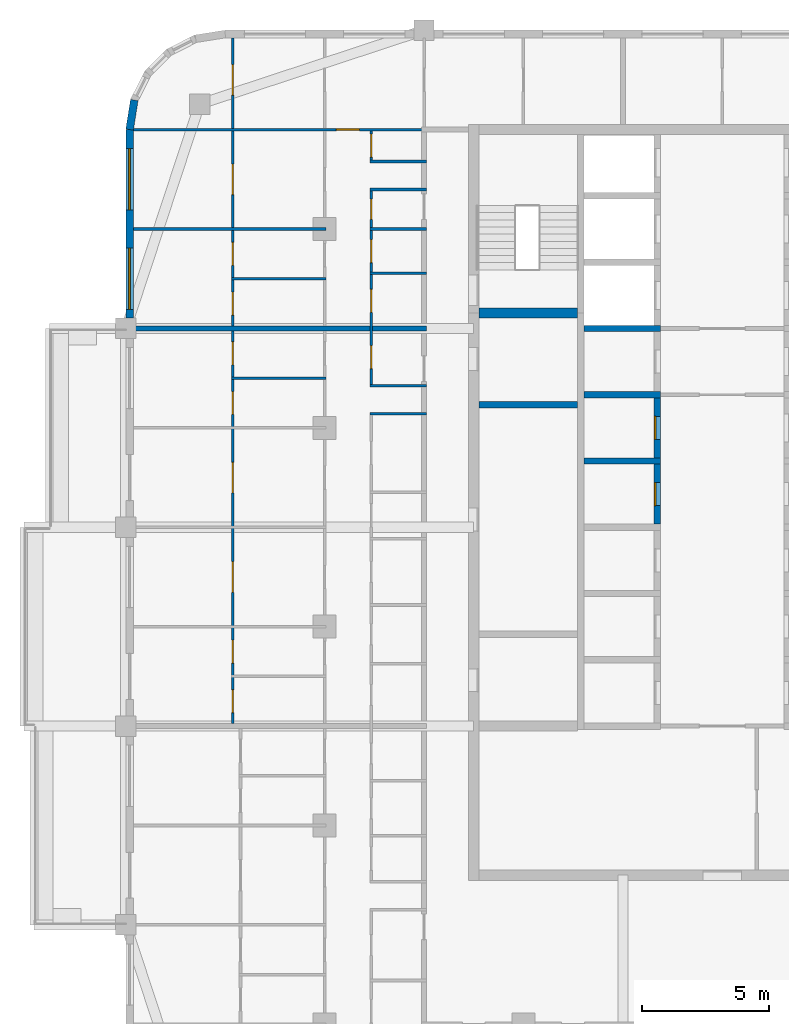
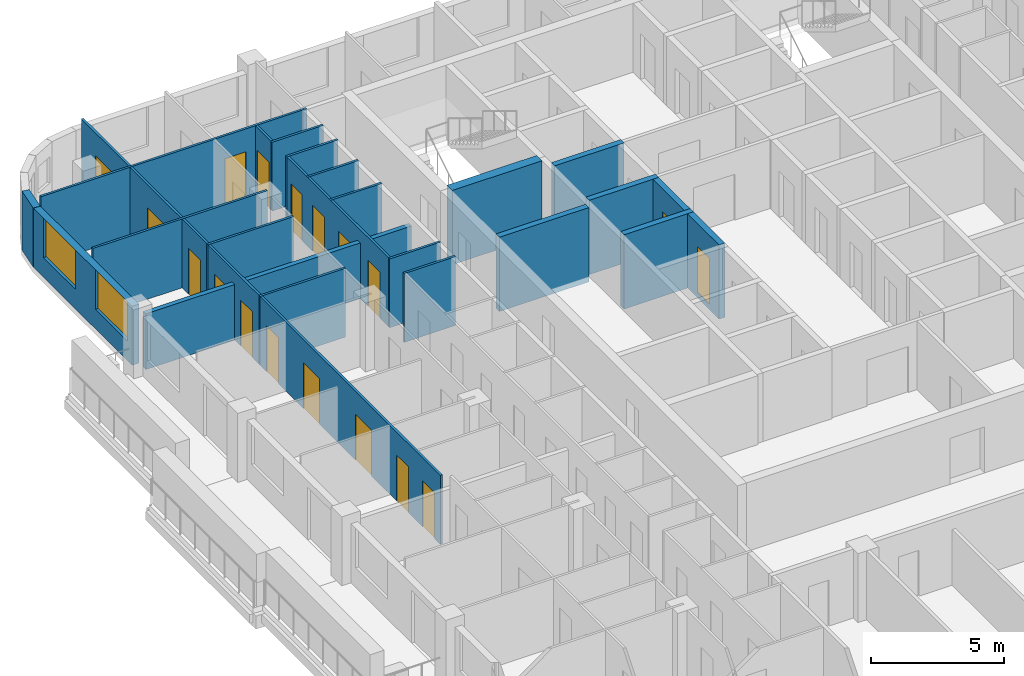
# One storey, part 8 of 17: 23 walls, 18 doors, 2 windows, 20 openings.
"""IFC4 building model written with IfcOpenShell, lengths in metres."""

from ifc_helpers import new_model, si_unit, direction, frame, frame_2d, origin, place, context, subcontext, project, spatial, rectangle, extrude, material, layer, layer_set, type_object, element, fill, save


model = new_model("IFC4")

# Units and contexts
model_context = context("Model", 3, precision=1e-05, world=origin(), true_north=direction((0.0, 1.0)))
body_context = subcontext(model_context, "Body", "Model", "MODEL_VIEW")
ifc_project = project(units=[si_unit("LENGTHUNIT", "METRE"), si_unit("AREAUNIT", "SQUARE_METRE"), si_unit("VOLUMEUNIT", "CUBIC_METRE"), si_unit("PLANEANGLEUNIT", "RADIAN"), si_unit("MASSUNIT", "GRAM", prefix="KILO")], contexts=[model_context])

# Site, building, storey
site_placement = place(None, origin())
site = spatial("IfcSite", under=ifc_project, at=site_placement, CompositionType="ELEMENT")
building_placement = place(site_placement, origin())
building = spatial("IfcBuilding", under=site, at=building_placement, Name="Ludao Terraces", CompositionType="ELEMENT")
storey_placement = place(building_placement, frame((0.0, 0.0, 210.89990234375)))
storey = spatial("IfcBuildingStorey", under=building, at=storey_placement, Name="L57", CompositionType="ELEMENT", Elevation=210.89990234375)

# Wall, openings, windows
ifc_material_1 = material(Name="Granite cladding", Category="masonry")
ifc_layer_1 = layer(ifc_material_1, 0.0400390625, Category="stone")
ifc_material_2 = material(Name="Mineral wool")
ifc_layer_2 = layer(ifc_material_2, 0.06005859375)
ifc_material_3 = material(Name="Concrete C40", Category="concrete")
ifc_layer_3 = layer(ifc_material_3, 0.199951171875, Category="concrete")
ifc_layer_set_1 = layer_set([ifc_layer_1, ifc_layer_2, ifc_layer_3], Name="ENV Stone-clad wall 300")
wall_type_1 = type_object("IfcWallType", Name="ENV Stone-clad wall 300", PredefinedType="SOLIDWALL", material=ifc_layer_set_1)
wall_1_placement = place(storey_placement, frame((61.75, 77.10009765625, 0.0), z_axis=(0.0, 0.0, 1.0), x_axis=(0.0, 1.0, 0.0)))
wall_1 = element("IfcWall", 1, at=wall_1_placement, inside=storey, type_object=wall_type_1, Name="EW-L57-W5", PredefinedType="SOLIDWALL", context=body_context, shape_type="SweptSolid", body=[
    extrude(rectangle(XDim=7.39990234375, YDim=0.300048828125, at=frame_2d((3.699951171875, 0.0))), origin(), (0.0, 0.0, 1.0), 2.7001953125),
])
opening_1_placement = place(wall_1_placement, frame((0.35009765625, 0.0, 0.89990234375)))
opening_1 = element("IfcOpeningElement", 2, at=opening_1_placement, cuts=wall_1, Name="Opening W1", PredefinedType="OPENING", context=body_context, shape_type="SweptSolid", body=[
    extrude(rectangle(XDim=2.39990234375, YDim=1.800048828125, at=frame_2d((1.199951171875, 0.89990234375))), frame((0.0, 0.16015625, 0.0), z_axis=(0.0, -1.0, 0.0), x_axis=(1.0, 0.0, 0.0)), (0.0, 0.0, 1.0), 0.320068359375),
])
opening_2_placement = place(wall_1_placement, frame((4.25, 0.0, 0.89990234375)))
opening_2 = element("IfcOpeningElement", 3, at=opening_2_placement, cuts=wall_1, Name="Opening W1", PredefinedType="OPENING", context=body_context, shape_type="SweptSolid", body=[
    extrude(rectangle(XDim=2.39990234375, YDim=1.800048828125, at=frame_2d((1.199951171875, 0.89990234375))), frame((0.0, 0.16015625, 0.0), z_axis=(0.0, -1.0, 0.0), x_axis=(1.0, 0.0, 0.0)), (0.0, 0.0, 1.0), 0.320068359375),
])
ifc_material_4 = material(Name="Clear glass in aluminium frame", Category="aluminium")
ifc_layer_4 = layer(ifc_material_4, 0.06005859375)
ifc_layer_set_2 = layer_set([ifc_layer_4], Name="ENV Window W1 2400x1800")
window_type = type_object("IfcWindowType", Name="ENV Window W1 2400x1800", PartitioningType="DOUBLE_PANEL_VERTICAL", PredefinedType="WINDOW", material=ifc_layer_set_2)
window_1_placement = place(opening_1_placement, origin())
window_1 = element("IfcWindow", 4, at=window_1_placement, inside=storey, type_object=window_type, Name="W-L57-W5-1", OverallHeight=1.800048828125, OverallWidth=2.39990234375, PartitioningType="DOUBLE_PANEL_VERTICAL", PredefinedType="WINDOW", context=body_context, shape_type="SweptSolid", body=[
    extrude(rectangle(XDim=2.39990234375, YDim=1.800048828125, at=frame_2d((1.199951171875, 0.89990234375))), frame((0.0, 0.030029296875, 0.0), z_axis=(0.0, -1.0, 0.0), x_axis=(1.0, 0.0, 0.0)), (0.0, 0.0, 1.0), 0.06005859375),
])
fill(opening_1, window_1)
window_2_placement = place(opening_2_placement, origin())
window_2 = element("IfcWindow", 5, at=window_2_placement, inside=storey, type_object=window_type, Name="W-L57-W5-2", OverallHeight=1.800048828125, OverallWidth=2.39990234375, PartitioningType="DOUBLE_PANEL_VERTICAL", PredefinedType="WINDOW", context=body_context, shape_type="SweptSolid", body=[
    extrude(rectangle(XDim=2.39990234375, YDim=1.800048828125, at=frame_2d((1.199951171875, 0.89990234375))), frame((0.0, 0.030029296875, 0.0), z_axis=(0.0, -1.0, 0.0), x_axis=(1.0, 0.0, 0.0)), (0.0, 0.0, 1.0), 0.06005859375),
])
fill(opening_2, window_2)

# Walls
wall_2_placement = place(storey_placement, frame((61.93359375, 85.65869140625, 0.0), z_axis=(0.0, 0.0, 1.0), x_axis=(-0.156496880861, -0.987678452879, 0.0)))
element("IfcWall", 6, at=wall_2_placement, inside=storey, type_object=wall_type_1, Name="EW-L57-NW5", PredefinedType="SOLIDWALL", context=body_context, shape_type="SweptSolid", body=[
    extrude(rectangle(XDim=1.173095703125, YDim=0.300048828125, at=frame_2d((0.58642578125, 0.0))), origin(), (0.0, 0.0, 1.0), 2.7001953125),
])
ifc_material_5 = material(Name="Gypsum plasterboard", Category="gypsum")
ifc_layer_5 = layer(ifc_material_5, 0.012451171875, Category="gypsum")
ifc_layer_6 = layer(ifc_material_2, 0.06005859375, Name="insulation")
ifc_material_6 = material(Name="Steel Q235", Category="steel")
ifc_layer_7 = layer(ifc_material_6, 0.014892578125, Name="stud")
ifc_layer_8 = layer(ifc_material_5, 0.012451171875, Category="gypsum")
ifc_layer_set_3 = layer_set([ifc_layer_5, ifc_layer_6, ifc_layer_7, ifc_layer_8], Name="INT Partition 100")
wall_type_2 = type_object("IfcWallType", Name="INT Partition 100", PredefinedType="PARTITIONING", material=ifc_layer_set_3)
for number, where, z_axis, x_axis, name in (
    (7, (71.18017578125, 73.35009765625, 0.0), (0.0, 0.0, 1.0), (1.0, 0.0, 0.0), "PW-L57-PW046"),
    (8, (71.18017578125, 74.449951171875, 0.0), (0.0, 0.0, 1.0), (1.0, 0.0, 0.0), "PW-L57-PW048"),
):
    element("IfcWall", number, at=place(storey_placement, frame(where, z_axis=z_axis, x_axis=x_axis)), inside=storey, type_object=wall_type_2, Name=name, PredefinedType="PARTITIONING", context=body_context, shape_type="SweptSolid", body=[
        extrude(rectangle(XDim=2.219970703125, YDim=0.10009765625, at=frame_2d((1.10986328125, 0.0))), origin(), (0.0, 0.0, 1.0), 3.150146484375),
    ])
for number, where, z_axis, x_axis, name in (
    (9, (65.75, 74.75, 0.0), (0.0, 0.0, 1.0), (1.0, 0.0, 0.0), "PW-L57-PW049"),
    (10, (65.75, 78.64990234375, 0.0), (0.0, 0.0, 1.0), (1.0, 0.0, 0.0), "PW-L57-PW057"),
):
    element("IfcWall", number, at=place(storey_placement, frame(where, z_axis=z_axis, x_axis=x_axis)), inside=storey, type_object=wall_type_2, Name=name, PredefinedType="PARTITIONING", context=body_context, shape_type="SweptSolid", body=[
        extrude(rectangle(XDim=3.7001953125, YDim=0.10009765625, at=frame_2d((1.85009765625, 0.0))), origin(), (0.0, 0.0, 1.0), 3.150146484375),
    ])
wall_3_placement = place(storey_placement, frame((71.18017578125, 78.8701171875, 0.0), z_axis=(0.0, 0.0, 1.0), x_axis=(1.0, 0.0, 0.0)))
element("IfcWall", 11, at=wall_3_placement, inside=storey, type_object=wall_type_2, Name="PW-L57-PW058", PredefinedType="PARTITIONING", context=body_context, shape_type="SweptSolid", body=[
    extrude(rectangle(XDim=2.219970703125, YDim=0.10009765625, at=frame_2d((1.10986328125, 0.0))), origin(), (0.0, 0.0, 1.0), 3.150146484375),
])
wall_4_placement = place(storey_placement, frame((61.900146484375, 80.60009765625, 0.0), z_axis=(0.0, 0.0, 1.0), x_axis=(1.0, 0.0, 0.0)))
element("IfcWall", 12, at=wall_4_placement, inside=storey, type_object=wall_type_2, Name="PW-L57-PW059", PredefinedType="PARTITIONING", context=body_context, shape_type="SweptSolid", body=[
    extrude(rectangle(XDim=7.550048828125, YDim=0.10009765625, at=frame_2d((3.77490234375, 0.0))), origin(), (0.0, 0.0, 1.0), 3.150146484375),
])
for number, where, z_axis, x_axis, name in (
    (13, (71.18017578125, 80.60009765625, 0.0), (0.0, 0.0, 1.0), (1.0, 0.0, 0.0), "PW-L57-PW060"),
    (14, (71.18017578125, 82.14990234375, 0.0), (0.0, 0.0, 1.0), (1.0, 0.0, 0.0), "PW-L57-PW063"),
    (15, (71.18017578125, 83.25, 0.0), (0.0, 0.0, 1.0), (1.0, 0.0, 0.0), "PW-L57-PW065"),
):
    element("IfcWall", number, at=place(storey_placement, frame(where, z_axis=z_axis, x_axis=x_axis)), inside=storey, type_object=wall_type_2, Name=name, PredefinedType="PARTITIONING", context=body_context, shape_type="SweptSolid", body=[
        extrude(rectangle(XDim=2.219970703125, YDim=0.10009765625, at=frame_2d((1.10986328125, 0.0))), origin(), (0.0, 0.0, 1.0), 3.150146484375),
    ])

# Wall, opening, door
wall_5_placement = place(storey_placement, frame((61.900146484375, 84.5, 0.0), z_axis=(0.0, 0.0, 1.0), x_axis=(1.0, 0.0, 0.0)))
wall_5 = element("IfcWall", 16, at=wall_5_placement, inside=storey, type_object=wall_type_2, Name="PW-L57-PW066", PredefinedType="PARTITIONING", context=body_context, shape_type="SweptSolid", body=[
    extrude(rectangle(XDim=11.5, YDim=0.10009765625, at=frame_2d((5.75, 0.0))), origin(), (0.0, 0.0, 1.0), 3.150146484375),
])
opening_3_placement = place(wall_5_placement, frame((7.965087890625, 0.0, 0.0)))
opening_3 = element("IfcOpeningElement", 17, at=opening_3_placement, cuts=wall_5, Name="Opening R20-131", PredefinedType="OPENING", context=body_context, shape_type="SweptSolid", body=[
    extrude(rectangle(XDim=0.89990234375, YDim=2.10009765625, at=frame_2d((0.449951171875, 1.050048828125))), frame((0.0, 0.06005859375, 0.0), z_axis=(0.0, -1.0, 0.0), x_axis=(1.0, 0.0, 0.0)), (0.0, 0.0, 1.0), 0.1201171875),
])
ifc_material_7 = material(Name="Timber door leaf", Category="wood")
door_type_1 = type_object("IfcDoorType", Name="INT Room door 900", OperationType="SINGLE_SWING_LEFT", PredefinedType="DOOR", material=ifc_material_7)
door_1_placement = place(opening_3_placement, origin())
door_1 = element("IfcDoor", 18, at=door_1_placement, inside=storey, type_object=door_type_1, Name="DOOR 131", OperationType="SINGLE_SWING_RIGHT", OverallHeight=2.10009765625, OverallWidth=0.89990234375, PredefinedType="DOOR", context=body_context, shape_type="SweptSolid", body=[
    extrude(rectangle(XDim=0.89990234375, YDim=2.10009765625, at=frame_2d((0.449951171875, 1.050048828125))), frame((0.0, 0.02490234375, 0.0), z_axis=(0.0, -1.0, 0.0), x_axis=(1.0, 0.0, 0.0)), (0.0, 0.0, 1.0), 0.050048828125),
])
fill(opening_3, door_1)

# Wall, openings, doors
wall_6_placement = place(storey_placement, frame((65.800048828125, 61.2001953125, 0.0), z_axis=(0.0, 0.0, 1.0), x_axis=(0.0, 1.0, 0.0)))
wall_6 = element("IfcWall", 19, at=wall_6_placement, inside=storey, type_object=wall_type_2, Name="PW-L57-PW070", PredefinedType="PARTITIONING", context=body_context, shape_type="SweptSolid", body=[
    extrude(rectangle(XDim=26.89990234375, YDim=0.10009765625, at=frame_2d((13.449951171875, 0.0))), origin(), (0.0, 0.0, 1.0), 3.150146484375),
])
opening_4_placement = place(wall_6_placement, frame((0.4248046875, 0.0, 0.0)))
opening_4 = element("IfcOpeningElement", 20, at=opening_4_placement, cuts=wall_6, Name="Opening R20-051", PredefinedType="OPENING", context=body_context, shape_type="SweptSolid", body=[
    extrude(rectangle(XDim=0.89990234375, YDim=2.10009765625, at=frame_2d((0.449951171875, 1.050048828125))), frame((0.0, 0.06005859375, 0.0), z_axis=(0.0, -1.0, 0.0), x_axis=(1.0, 0.0, 0.0)), (0.0, 0.0, 1.0), 0.1201171875),
])
opening_5_placement = place(wall_6_placement, frame((2.375, 0.0, 0.0)))
opening_5 = element("IfcOpeningElement", 21, at=opening_5_placement, cuts=wall_6, Name="Opening R20-060", PredefinedType="OPENING", context=body_context, shape_type="SweptSolid", body=[
    extrude(rectangle(XDim=0.89990234375, YDim=2.10009765625, at=frame_2d((0.449951171875, 1.050048828125))), frame((0.0, 0.06005859375, 0.0), z_axis=(0.0, -1.0, 0.0), x_axis=(1.0, 0.0, 0.0)), (0.0, 0.0, 1.0), 0.1201171875),
])
opening_6_placement = place(wall_6_placement, frame((5.14990234375, 0.0, 0.0)))
opening_6 = element("IfcOpeningElement", 22, at=opening_6_placement, cuts=wall_6, Name="Opening R20-066", PredefinedType="OPENING", context=body_context, shape_type="SweptSolid", body=[
    extrude(rectangle(XDim=1.199951171875, YDim=2.10009765625, at=frame_2d((0.60009765625, 1.050048828125))), frame((0.0, 0.06005859375, 0.0), z_axis=(0.0, -1.0, 0.0), x_axis=(1.0, 0.0, 0.0)), (0.0, 0.0, 1.0), 0.1201171875),
])
opening_7_placement = place(wall_6_placement, frame((9.0498046875, 0.0, 0.0)))
opening_7 = element("IfcOpeningElement", 23, at=opening_7_placement, cuts=wall_6, Name="Opening R20-080", PredefinedType="OPENING", context=body_context, shape_type="SweptSolid", body=[
    extrude(rectangle(XDim=1.199951171875, YDim=2.10009765625, at=frame_2d((0.60009765625, 1.050048828125))), frame((0.0, 0.06005859375, 0.0), z_axis=(0.0, -1.0, 0.0), x_axis=(1.0, 0.0, 0.0)), (0.0, 0.0, 1.0), 0.1201171875),
])
opening_8_placement = place(wall_6_placement, frame((12.125, 0.0, 0.0)))
opening_8 = element("IfcOpeningElement", 24, at=opening_8_placement, cuts=wall_6, Name="Opening R20-089", PredefinedType="OPENING", context=body_context, shape_type="SweptSolid", body=[
    extrude(rectangle(XDim=0.89990234375, YDim=2.10009765625, at=frame_2d((0.449951171875, 1.050048828125))), frame((0.0, 0.06005859375, 0.0), z_axis=(0.0, -1.0, 0.0), x_axis=(1.0, 0.0, 0.0)), (0.0, 0.0, 1.0), 0.1201171875),
])
opening_9_placement = place(wall_6_placement, frame((14.074951171875, 0.0, 0.0)))
opening_9 = element("IfcOpeningElement", 25, at=opening_9_placement, cuts=wall_6, Name="Opening R20-099", PredefinedType="OPENING", context=body_context, shape_type="SweptSolid", body=[
    extrude(rectangle(XDim=0.89990234375, YDim=2.10009765625, at=frame_2d((0.449951171875, 1.050048828125))), frame((0.0, 0.06005859375, 0.0), z_axis=(0.0, -1.0, 0.0), x_axis=(1.0, 0.0, 0.0)), (0.0, 0.0, 1.0), 0.1201171875),
])
opening_10_placement = place(wall_6_placement, frame((16.02490234375, 0.0, 0.0)))
opening_10 = element("IfcOpeningElement", 26, at=opening_10_placement, cuts=wall_6, Name="Opening R20-105", PredefinedType="OPENING", context=body_context, shape_type="SweptSolid", body=[
    extrude(rectangle(XDim=0.89990234375, YDim=2.10009765625, at=frame_2d((0.449951171875, 1.050048828125))), frame((0.0, 0.06005859375, 0.0), z_axis=(0.0, -1.0, 0.0), x_axis=(1.0, 0.0, 0.0)), (0.0, 0.0, 1.0), 0.1201171875),
])
opening_11_placement = place(wall_6_placement, frame((17.974853515625, 0.0, 0.0)))
opening_11 = element("IfcOpeningElement", 27, at=opening_11_placement, cuts=wall_6, Name="Opening R20-115", PredefinedType="OPENING", context=body_context, shape_type="SweptSolid", body=[
    extrude(rectangle(XDim=0.89990234375, YDim=2.10009765625, at=frame_2d((0.449951171875, 1.050048828125))), frame((0.0, 0.06005859375, 0.0), z_axis=(0.0, -1.0, 0.0), x_axis=(1.0, 0.0, 0.0)), (0.0, 0.0, 1.0), 0.1201171875),
])
opening_12_placement = place(wall_6_placement, frame((20.75, 0.0, 0.0)))
opening_12 = element("IfcOpeningElement", 28, at=opening_12_placement, cuts=wall_6, Name="Opening R20-123", PredefinedType="OPENING", context=body_context, shape_type="SweptSolid", body=[
    extrude(rectangle(XDim=1.199951171875, YDim=2.10009765625, at=frame_2d((0.60009765625, 1.050048828125))), frame((0.0, 0.06005859375, 0.0), z_axis=(0.0, -1.0, 0.0), x_axis=(1.0, 0.0, 0.0)), (0.0, 0.0, 1.0), 0.1201171875),
])
opening_13_placement = place(wall_6_placement, frame((24.64990234375, 0.0, 0.0)))
opening_13 = element("IfcOpeningElement", 29, at=opening_13_placement, cuts=wall_6, Name="Opening R20-133", PredefinedType="OPENING", context=body_context, shape_type="SweptSolid", body=[
    extrude(rectangle(XDim=1.199951171875, YDim=2.10009765625, at=frame_2d((0.60009765625, 1.050048828125))), frame((0.0, 0.06005859375, 0.0), z_axis=(0.0, -1.0, 0.0), x_axis=(1.0, 0.0, 0.0)), (0.0, 0.0, 1.0), 0.1201171875),
])
door_type_2 = type_object("IfcDoorType", Name="INT Bathroom door 900", OperationType="SINGLE_SWING_LEFT", PredefinedType="DOOR", material=ifc_material_7)
door_2_placement = place(opening_4_placement, origin())
door_2 = element("IfcDoor", 30, at=door_2_placement, inside=storey, type_object=door_type_2, Name="DOOR 051", OperationType="SINGLE_SWING_RIGHT", OverallHeight=2.10009765625, OverallWidth=0.89990234375, PredefinedType="DOOR", context=body_context, shape_type="SweptSolid", body=[
    extrude(rectangle(XDim=0.89990234375, YDim=2.10009765625, at=frame_2d((0.449951171875, 1.050048828125))), frame((0.0, 0.02490234375, 0.0), z_axis=(0.0, -1.0, 0.0), x_axis=(1.0, 0.0, 0.0)), (0.0, 0.0, 1.0), 0.050048828125),
])
fill(opening_4, door_2)
door_3_placement = place(opening_8_placement, origin())
door_3 = element("IfcDoor", 31, at=door_3_placement, inside=storey, type_object=door_type_2, Name="DOOR 089", OperationType="SINGLE_SWING_RIGHT", OverallHeight=2.10009765625, OverallWidth=0.89990234375, PredefinedType="DOOR", context=body_context, shape_type="SweptSolid", body=[
    extrude(rectangle(XDim=0.89990234375, YDim=2.10009765625, at=frame_2d((0.449951171875, 1.050048828125))), frame((0.0, 0.02490234375, 0.0), z_axis=(0.0, -1.0, 0.0), x_axis=(1.0, 0.0, 0.0)), (0.0, 0.0, 1.0), 0.050048828125),
])
fill(opening_8, door_3)
door_4_placement = place(opening_10_placement, origin())
door_4 = element("IfcDoor", 32, at=door_4_placement, inside=storey, type_object=door_type_2, Name="DOOR 105", OperationType="SINGLE_SWING_RIGHT", OverallHeight=2.10009765625, OverallWidth=0.89990234375, PredefinedType="DOOR", context=body_context, shape_type="SweptSolid", body=[
    extrude(rectangle(XDim=0.89990234375, YDim=2.10009765625, at=frame_2d((0.449951171875, 1.050048828125))), frame((0.0, 0.02490234375, 0.0), z_axis=(0.0, -1.0, 0.0), x_axis=(1.0, 0.0, 0.0)), (0.0, 0.0, 1.0), 0.050048828125),
])
fill(opening_10, door_4)
door_type_3 = type_object("IfcDoorType", Name="INT Double door 1200", OperationType="DOUBLE_DOOR_SINGLE_SWING", PredefinedType="DOOR", material=ifc_material_7)
door_5_placement = place(opening_6_placement, origin())
door_5 = element("IfcDoor", 33, at=door_5_placement, inside=storey, type_object=door_type_3, Name="DOOR 066", OperationType="DOUBLE_DOOR_SINGLE_SWING", OverallHeight=2.10009765625, OverallWidth=1.199951171875, PredefinedType="DOOR", context=body_context, shape_type="SweptSolid", body=[
    extrude(rectangle(XDim=1.199951171875, YDim=2.10009765625, at=frame_2d((0.60009765625, 1.050048828125))), frame((0.0, 0.02490234375, 0.0), z_axis=(0.0, -1.0, 0.0), x_axis=(1.0, 0.0, 0.0)), (0.0, 0.0, 1.0), 0.050048828125),
])
fill(opening_6, door_5)
door_6_placement = place(opening_7_placement, origin())
door_6 = element("IfcDoor", 34, at=door_6_placement, inside=storey, type_object=door_type_3, Name="DOOR 080", OperationType="DOUBLE_DOOR_SINGLE_SWING", OverallHeight=2.10009765625, OverallWidth=1.199951171875, PredefinedType="DOOR", context=body_context, shape_type="SweptSolid", body=[
    extrude(rectangle(XDim=1.199951171875, YDim=2.10009765625, at=frame_2d((0.60009765625, 1.050048828125))), frame((0.0, 0.02490234375, 0.0), z_axis=(0.0, -1.0, 0.0), x_axis=(1.0, 0.0, 0.0)), (0.0, 0.0, 1.0), 0.050048828125),
])
fill(opening_7, door_6)
door_7_placement = place(opening_12_placement, origin())
door_7 = element("IfcDoor", 35, at=door_7_placement, inside=storey, type_object=door_type_3, Name="DOOR 123", OperationType="DOUBLE_DOOR_SINGLE_SWING", OverallHeight=2.10009765625, OverallWidth=1.199951171875, PredefinedType="DOOR", context=body_context, shape_type="SweptSolid", body=[
    extrude(rectangle(XDim=1.199951171875, YDim=2.10009765625, at=frame_2d((0.60009765625, 1.050048828125))), frame((0.0, 0.02490234375, 0.0), z_axis=(0.0, -1.0, 0.0), x_axis=(1.0, 0.0, 0.0)), (0.0, 0.0, 1.0), 0.050048828125),
])
fill(opening_12, door_7)
door_8_placement = place(opening_13_placement, origin())
door_8 = element("IfcDoor", 36, at=door_8_placement, inside=storey, type_object=door_type_3, Name="DOOR 133", OperationType="DOUBLE_DOOR_SINGLE_SWING", OverallHeight=2.10009765625, OverallWidth=1.199951171875, PredefinedType="DOOR", context=body_context, shape_type="SweptSolid", body=[
    extrude(rectangle(XDim=1.199951171875, YDim=2.10009765625, at=frame_2d((0.60009765625, 1.050048828125))), frame((0.0, 0.02490234375, 0.0), z_axis=(0.0, -1.0, 0.0), x_axis=(1.0, 0.0, 0.0)), (0.0, 0.0, 1.0), 0.050048828125),
])
fill(opening_13, door_8)
door_9_placement = place(opening_5_placement, origin())
door_9 = element("IfcDoor", 37, at=door_9_placement, inside=storey, type_object=door_type_1, Name="DOOR 060", OperationType="SINGLE_SWING_RIGHT", OverallHeight=2.10009765625, OverallWidth=0.89990234375, PredefinedType="DOOR", context=body_context, shape_type="SweptSolid", body=[
    extrude(rectangle(XDim=0.89990234375, YDim=2.10009765625, at=frame_2d((0.449951171875, 1.050048828125))), frame((0.0, 0.02490234375, 0.0), z_axis=(0.0, -1.0, 0.0), x_axis=(1.0, 0.0, 0.0)), (0.0, 0.0, 1.0), 0.050048828125),
])
fill(opening_5, door_9)
door_10_placement = place(opening_9_placement, origin())
door_10 = element("IfcDoor", 38, at=door_10_placement, inside=storey, type_object=door_type_1, Name="DOOR 099", OperationType="SINGLE_SWING_LEFT", OverallHeight=2.10009765625, OverallWidth=0.89990234375, PredefinedType="DOOR", context=body_context, shape_type="SweptSolid", body=[
    extrude(rectangle(XDim=0.89990234375, YDim=2.10009765625, at=frame_2d((0.449951171875, 1.050048828125))), frame((0.0, 0.02490234375, 0.0), z_axis=(0.0, -1.0, 0.0), x_axis=(1.0, 0.0, 0.0)), (0.0, 0.0, 1.0), 0.050048828125),
])
fill(opening_9, door_10)
door_11_placement = place(opening_11_placement, origin())
door_11 = element("IfcDoor", 39, at=door_11_placement, inside=storey, type_object=door_type_1, Name="DOOR 115", OperationType="SINGLE_SWING_RIGHT", OverallHeight=2.10009765625, OverallWidth=0.89990234375, PredefinedType="DOOR", context=body_context, shape_type="SweptSolid", body=[
    extrude(rectangle(XDim=0.89990234375, YDim=2.10009765625, at=frame_2d((0.449951171875, 1.050048828125))), frame((0.0, 0.02490234375, 0.0), z_axis=(0.0, -1.0, 0.0), x_axis=(1.0, 0.0, 0.0)), (0.0, 0.0, 1.0), 0.050048828125),
])
fill(opening_11, door_11)

wall_7_placement = place(storey_placement, frame((71.22998046875, 74.5, 0.0), z_axis=(0.0, 0.0, 1.0), x_axis=(0.0, 1.0, 0.0)))
wall_7 = element("IfcWall", 40, at=wall_7_placement, inside=storey, type_object=wall_type_2, Name="PW-L57-PW075", PredefinedType="PARTITIONING", context=body_context, shape_type="SweptSolid", body=[
    extrude(rectangle(XDim=7.60009765625, YDim=0.10009765625, at=frame_2d((3.800048828125, 0.0))), origin(), (0.0, 0.0, 1.0), 3.150146484375),
])
opening_14_placement = place(wall_7_placement, frame((0.625, 0.0, 0.0)))
opening_14 = element("IfcOpeningElement", 41, at=opening_14_placement, cuts=wall_7, Name="Opening R20-098", PredefinedType="OPENING", context=body_context, shape_type="SweptSolid", body=[
    extrude(rectangle(XDim=0.89990234375, YDim=2.10009765625, at=frame_2d((0.449951171875, 1.050048828125))), frame((0.0, 0.06005859375, 0.0), z_axis=(0.0, -1.0, 0.0), x_axis=(1.0, 0.0, 0.0)), (0.0, 0.0, 1.0), 0.1201171875),
])
opening_15_placement = place(wall_7_placement, frame((2.835205078125, 0.0, 0.0)))
opening_15 = element("IfcOpeningElement", 42, at=opening_15_placement, cuts=wall_7, Name="Opening R20-106", PredefinedType="OPENING", context=body_context, shape_type="SweptSolid", body=[
    extrude(rectangle(XDim=0.89990234375, YDim=2.10009765625, at=frame_2d((0.449951171875, 1.050048828125))), frame((0.0, 0.06005859375, 0.0), z_axis=(0.0, -1.0, 0.0), x_axis=(1.0, 0.0, 0.0)), (0.0, 0.0, 1.0), 0.1201171875),
])
opening_16_placement = place(wall_7_placement, frame((4.78515625, 0.0, 0.0)))
opening_16 = element("IfcOpeningElement", 43, at=opening_16_placement, cuts=wall_7, Name="Opening R20-116", PredefinedType="OPENING", context=body_context, shape_type="SweptSolid", body=[
    extrude(rectangle(XDim=0.89990234375, YDim=2.10009765625, at=frame_2d((0.449951171875, 1.050048828125))), frame((0.0, 0.06005859375, 0.0), z_axis=(0.0, -1.0, 0.0), x_axis=(1.0, 0.0, 0.0)), (0.0, 0.0, 1.0), 0.1201171875),
])
opening_17_placement = place(wall_7_placement, frame((6.47509765625, 0.0, 0.0)))
opening_17 = element("IfcOpeningElement", 44, at=opening_17_placement, cuts=wall_7, Name="Opening R20-120", PredefinedType="OPENING", context=body_context, shape_type="SweptSolid", body=[
    extrude(rectangle(XDim=0.800048828125, YDim=2.10009765625, at=frame_2d((0.39990234375, 1.050048828125))), frame((0.0, 0.06005859375, 0.0), z_axis=(0.0, -1.0, 0.0), x_axis=(1.0, 0.0, 0.0)), (0.0, 0.0, 1.0), 0.1201171875),
])
door_12_placement = place(opening_14_placement, origin())
door_12 = element("IfcDoor", 45, at=door_12_placement, inside=storey, type_object=door_type_2, Name="DOOR 098", OperationType="SINGLE_SWING_LEFT", OverallHeight=2.10009765625, OverallWidth=0.89990234375, PredefinedType="DOOR", context=body_context, shape_type="SweptSolid", body=[
    extrude(rectangle(XDim=0.89990234375, YDim=2.10009765625, at=frame_2d((0.449951171875, 1.050048828125))), frame((0.0, 0.02490234375, 0.0), z_axis=(0.0, -1.0, 0.0), x_axis=(1.0, 0.0, 0.0)), (0.0, 0.0, 1.0), 0.050048828125),
])
fill(opening_14, door_12)
door_13_placement = place(opening_16_placement, origin())
door_13 = element("IfcDoor", 46, at=door_13_placement, inside=storey, type_object=door_type_2, Name="DOOR 116", OperationType="SINGLE_SWING_RIGHT", OverallHeight=2.10009765625, OverallWidth=0.89990234375, PredefinedType="DOOR", context=body_context, shape_type="SweptSolid", body=[
    extrude(rectangle(XDim=0.89990234375, YDim=2.10009765625, at=frame_2d((0.449951171875, 1.050048828125))), frame((0.0, 0.02490234375, 0.0), z_axis=(0.0, -1.0, 0.0), x_axis=(1.0, 0.0, 0.0)), (0.0, 0.0, 1.0), 0.050048828125),
])
fill(opening_16, door_13)
door_14_placement = place(opening_15_placement, origin())
door_14 = element("IfcDoor", 47, at=door_14_placement, inside=storey, type_object=door_type_1, Name="DOOR 106", OperationType="SINGLE_SWING_RIGHT", OverallHeight=2.10009765625, OverallWidth=0.89990234375, PredefinedType="DOOR", context=body_context, shape_type="SweptSolid", body=[
    extrude(rectangle(XDim=0.89990234375, YDim=2.10009765625, at=frame_2d((0.449951171875, 1.050048828125))), frame((0.0, 0.02490234375, 0.0), z_axis=(0.0, -1.0, 0.0), x_axis=(1.0, 0.0, 0.0)), (0.0, 0.0, 1.0), 0.050048828125),
])
fill(opening_15, door_14)
door_type_4 = type_object("IfcDoorType", Name="INT Store door 800", OperationType="SINGLE_SWING_LEFT", PredefinedType="DOOR", material=ifc_material_7)
door_15_placement = place(opening_17_placement, origin())
door_15 = element("IfcDoor", 48, at=door_15_placement, inside=storey, type_object=door_type_4, Name="DOOR 120", OperationType="SINGLE_SWING_RIGHT", OverallHeight=2.10009765625, OverallWidth=0.800048828125, PredefinedType="DOOR", context=body_context, shape_type="SweptSolid", body=[
    extrude(rectangle(XDim=0.800048828125, YDim=2.10009765625, at=frame_2d((0.39990234375, 1.050048828125))), frame((0.0, 0.02490234375, 0.0), z_axis=(0.0, -1.0, 0.0), x_axis=(1.0, 0.0, 0.0)), (0.0, 0.0, 1.0), 0.050048828125),
])
fill(opening_17, door_15)

# Wall, opening, door
wall_8_placement = place(storey_placement, frame((71.22998046875, 83.300048828125, 0.0), z_axis=(0.0, 0.0, 1.0), x_axis=(0.0, 1.0, 0.0)))
wall_8 = element("IfcWall", 49, at=wall_8_placement, inside=storey, type_object=wall_type_2, Name="PW-L57-PW076", PredefinedType="PARTITIONING", context=body_context, shape_type="SweptSolid", body=[
    extrude(rectangle(XDim=1.150146484375, YDim=0.10009765625, at=frame_2d((0.5751953125, 0.0))), origin(), (0.0, 0.0, 1.0), 3.150146484375),
])
opening_18_placement = place(wall_8_placement, frame((0.125, 0.0, 0.0)))
opening_18 = element("IfcOpeningElement", 50, at=opening_18_placement, cuts=wall_8, Name="Opening R20-130", PredefinedType="OPENING", context=body_context, shape_type="SweptSolid", body=[
    extrude(rectangle(XDim=0.89990234375, YDim=2.10009765625, at=frame_2d((0.449951171875, 1.050048828125))), frame((0.0, 0.06005859375, 0.0), z_axis=(0.0, -1.0, 0.0), x_axis=(1.0, 0.0, 0.0)), (0.0, 0.0, 1.0), 0.1201171875),
])
door_16_placement = place(opening_18_placement, origin())
door_16 = element("IfcDoor", 51, at=door_16_placement, inside=storey, type_object=door_type_2, Name="DOOR 130", OperationType="SINGLE_SWING_RIGHT", OverallHeight=2.10009765625, OverallWidth=0.89990234375, PredefinedType="DOOR", context=body_context, shape_type="SweptSolid", body=[
    extrude(rectangle(XDim=0.89990234375, YDim=2.10009765625, at=frame_2d((0.449951171875, 1.050048828125))), frame((0.0, 0.02490234375, 0.0), z_axis=(0.0, -1.0, 0.0), x_axis=(1.0, 0.0, 0.0)), (0.0, 0.0, 1.0), 0.050048828125),
])
fill(opening_18, door_16)

# Wall
ifc_material_8 = material(Name="Autoclaved aerated concrete block B06 A3.5", Category="concrete")
ifc_layer_9 = layer(ifc_material_8, 0.199951171875)
ifc_layer_set_4 = layer_set([ifc_layer_9], Name="INT Party wall 200")
wall_type_3 = type_object("IfcWallType", Name="INT Party wall 200", PredefinedType="PARTITIONING", material=ifc_layer_set_4)
wall_9_placement = place(storey_placement, frame((61.900146484375, 76.699951171875, 0.0), z_axis=(0.0, 0.0, 1.0), x_axis=(1.0, 0.0, 0.0)))
element("IfcWall", 52, at=wall_9_placement, inside=storey, type_object=wall_type_3, Name="PW-L57-PW052", PredefinedType="PARTITIONING", context=body_context, shape_type="SweptSolid", body=[
    extrude(rectangle(XDim=11.5, YDim=0.199951171875, at=frame_2d((5.75, 0.0))), origin(), (0.0, 0.0, 1.0), 2.550048828125),
])

# Wall, opening, door
ifc_material_9 = material(Name="Concrete C50", Category="concrete")
ifc_layer_10 = layer(ifc_material_9, 0.25)
ifc_layer_set_5 = layer_set([ifc_layer_10], Name="Shaft wall 250 C50")
wall_type_4 = type_object("IfcWallType", Name="Shaft wall 250 C50", PredefinedType="SOLIDWALL", material=ifc_layer_set_5)
wall_10_placement = place(storey_placement, frame((82.449951171875, 69.02490234375, -0.25), z_axis=(0.0, 0.0, 1.0), x_axis=(0.0, 1.0, 0.0)))
wall_10 = element("IfcWall", 53, at=wall_10_placement, inside=storey, type_object=wall_type_4, Name="Core wall L57 front-W4", PredefinedType="SOLIDWALL", context=body_context, shape_type="SweptSolid", body=[
    extrude(rectangle(XDim=2.35009765625, YDim=0.25, at=frame_2d((1.175048828125, 0.0))), origin(), (0.0, 0.0, 1.0), 3.400146484375),
])
opening_19_placement = place(wall_10_placement, frame((0.72509765625, 0.0, 0.25)))
opening_19 = element("IfcOpeningElement", 54, at=opening_19_placement, cuts=wall_10, Name="Opening R20-078", PredefinedType="OPENING", context=body_context, shape_type="SweptSolid", body=[
    extrude(rectangle(XDim=0.89990234375, YDim=2.10009765625, at=frame_2d((0.449951171875, 1.050048828125))), frame((0.0, 0.135009765625, 0.0), z_axis=(0.0, -1.0, 0.0), x_axis=(1.0, 0.0, 0.0)), (0.0, 0.0, 1.0), 0.27001953125),
])
door_17_placement = place(opening_19_placement, origin())
door_17 = element("IfcDoor", 55, at=door_17_placement, inside=storey, type_object=door_type_1, Name="DOOR 078", OperationType="SINGLE_SWING_RIGHT", OverallHeight=2.10009765625, OverallWidth=0.89990234375, PredefinedType="DOOR", context=body_context, shape_type="SweptSolid", body=[
    extrude(rectangle(XDim=0.89990234375, YDim=2.10009765625, at=frame_2d((0.449951171875, 1.050048828125))), frame((0.0, 0.10986328125, 0.0), z_axis=(0.0, -1.0, 0.0), x_axis=(1.0, 0.0, 0.0)), (0.0, 0.0, 1.0), 0.050048828125),
])
fill(opening_19, door_17)

# Wall
wall_11_placement = place(storey_placement, frame((79.574951171875, 71.5, -0.25), z_axis=(0.0, 0.0, 1.0), x_axis=(1.0, 0.0, 0.0)))
element("IfcWall", 56, at=wall_11_placement, inside=storey, type_object=wall_type_4, Name="Core wall L57 div-W5", PredefinedType="SOLIDWALL", context=body_context, shape_type="SweptSolid", body=[
    extrude(rectangle(XDim=3.0, YDim=0.25, at=frame_2d((1.5, 0.0))), origin(), (0.0, 0.0, 1.0), 3.400146484375),
])

# Wall, opening, door
wall_12_placement = place(storey_placement, frame((82.449951171875, 71.625, -0.25), z_axis=(0.0, 0.0, 1.0), x_axis=(0.0, 1.0, 0.0)))
wall_12 = element("IfcWall", 57, at=wall_12_placement, inside=storey, type_object=wall_type_4, Name="Core wall L57 front-W5", PredefinedType="SOLIDWALL", context=body_context, shape_type="SweptSolid", body=[
    extrude(rectangle(XDim=2.35009765625, YDim=0.25, at=frame_2d((1.175048828125, 0.0))), origin(), (0.0, 0.0, 1.0), 3.400146484375),
])
opening_20_placement = place(wall_12_placement, frame((0.72509765625, 0.0, 0.25)))
opening_20 = element("IfcOpeningElement", 58, at=opening_20_placement, cuts=wall_12, Name="Opening R20-087", PredefinedType="OPENING", context=body_context, shape_type="SweptSolid", body=[
    extrude(rectangle(XDim=0.89990234375, YDim=2.10009765625, at=frame_2d((0.449951171875, 1.050048828125))), frame((0.0, 0.135009765625, 0.0), z_axis=(0.0, -1.0, 0.0), x_axis=(1.0, 0.0, 0.0)), (0.0, 0.0, 1.0), 0.27001953125),
])
door_18_placement = place(opening_20_placement, origin())
door_18 = element("IfcDoor", 59, at=door_18_placement, inside=storey, type_object=door_type_1, Name="DOOR 087", OperationType="SINGLE_SWING_LEFT", OverallHeight=2.10009765625, OverallWidth=0.89990234375, PredefinedType="DOOR", context=body_context, shape_type="SweptSolid", body=[
    extrude(rectangle(XDim=0.89990234375, YDim=2.10009765625, at=frame_2d((0.449951171875, 1.050048828125))), frame((0.0, 0.10986328125, 0.0), z_axis=(0.0, -1.0, 0.0), x_axis=(1.0, 0.0, 0.0)), (0.0, 0.0, 1.0), 0.050048828125),
])
fill(opening_20, door_18)

# Walls
for number, where, z_axis, x_axis, name in (
    (60, (79.574951171875, 74.10009765625, -0.25), (0.0, 0.0, 1.0), (1.0, 0.0, 0.0), "Core wall L57 div-W6"),
    (61, (79.574951171875, 76.699951171875, -0.25), (0.0, 0.0, 1.0), (1.0, 0.0, 0.0), "Core wall L57 div-W7"),
):
    element("IfcWall", number, at=place(storey_placement, frame(where, z_axis=z_axis, x_axis=x_axis)), inside=storey, type_object=wall_type_4, Name=name, PredefinedType="SOLIDWALL", context=body_context, shape_type="SweptSolid", body=[
        extrude(rectangle(XDim=3.0, YDim=0.25, at=frame_2d((1.5, 0.0))), origin(), (0.0, 0.0, 1.0), 3.400146484375),
    ])
wall_13_placement = place(storey_placement, frame((75.449951171875, 73.699951171875, -0.25), z_axis=(0.0, 0.0, 1.0), x_axis=(1.0, 0.0, 0.0)))
element("IfcWall", 62, at=wall_13_placement, inside=storey, type_object=wall_type_4, Name="Core wall L57 riser-b-W", PredefinedType="SOLIDWALL", context=body_context, shape_type="SweptSolid", body=[
    extrude(rectangle(XDim=3.875, YDim=0.25, at=frame_2d((1.9375, 0.0))), origin(), (0.0, 0.0, 1.0), 3.400146484375),
])
ifc_layer_11 = layer(ifc_material_9, 0.39990234375)
ifc_layer_set_6 = layer_set([ifc_layer_11], Name="Shaft wall 400 C50")
wall_type_5 = type_object("IfcWallType", Name="Shaft wall 400 C50", PredefinedType="SOLIDWALL", material=ifc_layer_set_6)
wall_14_placement = place(storey_placement, frame((75.449951171875, 77.300048828125, -0.25), z_axis=(0.0, 0.0, 1.0), x_axis=(1.0, 0.0, 0.0)))
element("IfcWall", 63, at=wall_14_placement, inside=storey, type_object=wall_type_5, Name="Core wall L57 stair-W", PredefinedType="SOLIDWALL", context=body_context, shape_type="SweptSolid", body=[
    extrude(rectangle(XDim=3.875, YDim=0.39990234375, at=frame_2d((1.9375, 0.0))), origin(), (0.0, 0.0, 1.0), 3.400146484375),
])

save(model, "model.ifc")
